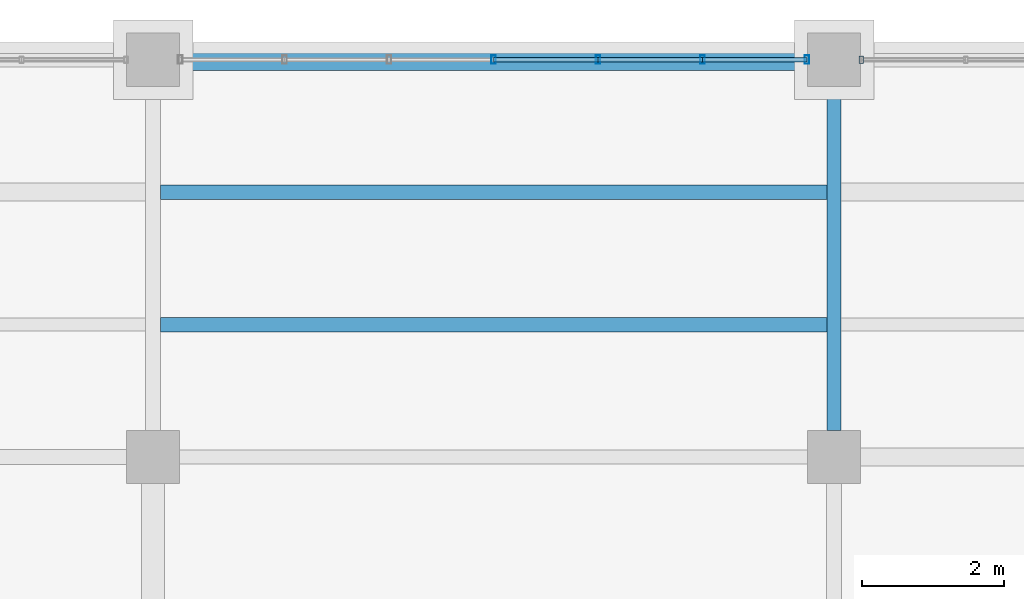
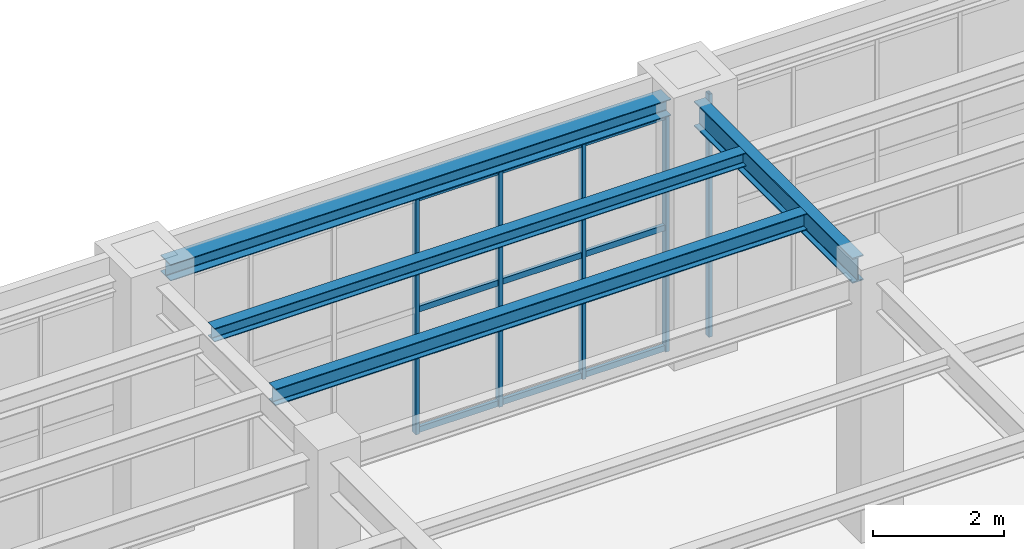
# One storey, part 77 of 174: 14 members, 4 beams, 2 elements without a shape of their own.
"""IFC4 building model written with IfcOpenShell, lengths in metres."""

from ifc_helpers import new_model, si_unit, direction, frame, origin, origin_2d, place, context, subcontext, project, spatial, hollow_rectangle, i_section, extrude, material, material_profile, profile_set, type_object, element, aggregate, save


model = new_model("IFC4")

# Units and contexts
model_context = context("Model", 3, precision=1e-05, world=origin(), true_north=direction((0.0, 1.0)))
body_context = subcontext(model_context, "Body", "Model", "MODEL_VIEW")
ifc_project = project(units=[si_unit("LENGTHUNIT", "METRE"), si_unit("AREAUNIT", "SQUARE_METRE"), si_unit("VOLUMEUNIT", "CUBIC_METRE"), si_unit("PLANEANGLEUNIT", "RADIAN"), si_unit("MASSUNIT", "GRAM", prefix="KILO")], contexts=[model_context])

# Site, building, storey
site_placement = place(None, origin())
site = spatial("IfcSite", under=ifc_project, at=site_placement, CompositionType="ELEMENT")
building_placement = place(site_placement, origin())
building = spatial("IfcBuilding", under=site, at=building_placement, Name="Mavantir Sound Aquarium", CompositionType="ELEMENT")
storey_placement = place(building_placement, frame((0.0, 0.0, 5.39990234375)))
storey = spatial("IfcBuildingStorey", under=building, at=storey_placement, Name="L01", CompositionType="ELEMENT", Elevation=5.39990234375)

# Beams
ifc_material_1 = material(Name="Structural Steel ASTM A992 Gr50", Category="steel")
ifc_material_profile_1 = material_profile(ifc_material_1, i_section(OverallWidth=0.202880859375, OverallDepth=0.251953125, WebThickness=0.008056640625, FlangeThickness=0.013427734375, FilletRadius=0.011962890625, at=origin_2d()), Name="W250X58")
ifc_profile_set_1 = profile_set([ifc_material_profile_1], Name="Structural Steel ASTM A992 Gr50")
beam_type_1 = type_object("IfcBeamType", Name="BM-W250X58-I", PredefinedType="JOIST", material=ifc_profile_set_1)
beam_1_placement = place(storey_placement, frame((19.305908203125, 114.13330078125, 4.650146484375), z_axis=(1.0, 0.0, 0.0), x_axis=(0.0, 1.0, 0.0)))
element("IfcBeam", 1, at=beam_1_placement, inside=storey, type_object=beam_type_1, Name="L01 secondary floor joist SJ-25 828", PredefinedType="JOIST", context=body_context, shape_type="SweptSolid", body=[
    extrude(i_section(OverallWidth=0.202880859375, OverallDepth=0.251953125, WebThickness=0.008056640625, FlangeThickness=0.013427734375, FilletRadius=0.011962890625, at=origin_2d()), origin(), (0.0, 0.0, 1.0), 9.39697265625),
])
ifc_material_profile_2 = material_profile(ifc_material_1, i_section(OverallWidth=0.205078125, OverallDepth=0.31005859375, WebThickness=0.009521484375, FlangeThickness=0.016357421875, FilletRadius=0.012939453125, at=origin_2d()), Name="W310X74")
ifc_profile_set_2 = profile_set([ifc_material_profile_2], Name="Structural Steel ASTM A992 Gr50")
beam_type_2 = type_object("IfcBeamType", Name="BM-W310X74-I", PredefinedType="JOIST", material=ifc_profile_set_2)
beam_2_placement = place(storey_placement, frame((19.305908203125, 112.2666015625, 4.62109375), z_axis=(1.0, 0.0, 0.0), x_axis=(0.0, 1.0, 0.0)))
element("IfcBeam", 2, at=beam_2_placement, inside=storey, type_object=beam_type_2, Name="L01 secondary floor joist SJ-31 827", PredefinedType="JOIST", context=body_context, shape_type="SweptSolid", body=[
    extrude(i_section(OverallWidth=0.205078125, OverallDepth=0.31005859375, WebThickness=0.009521484375, FlangeThickness=0.016357421875, FilletRadius=0.012939453125, at=origin_2d()), origin(), (0.0, 0.0, 1.0), 9.39697265625),
])
ifc_material_profile_3 = material_profile(ifc_material_1, i_section(OverallWidth=0.304931640625, OverallDepth=0.30810546875, WebThickness=0.010009765625, FlangeThickness=0.015380859375, FilletRadius=0.014892578125, at=origin_2d()), Name="W310X97")
ifc_profile_set_3 = profile_set([ifc_material_profile_3], Name="Structural Steel ASTM A992 Gr50")
beam_type_3 = type_object("IfcBeamType", Name="BM-W310X97-E", PredefinedType="SPANDREL", material=ifc_profile_set_3)
beam_3_placement = place(storey_placement, frame((19.574951171875, 116.0, 4.6220703125), z_axis=(1.0, 0.0, 0.0), x_axis=(0.0, 1.0, 0.0)))
element("IfcBeam", 3, at=beam_3_placement, inside=storey, type_object=beam_type_3, Name="L01 primary beam SS-31A 1375", PredefinedType="SPANDREL", context=body_context, shape_type="SweptSolid", body=[
    extrude(i_section(OverallWidth=0.304931640625, OverallDepth=0.30810546875, WebThickness=0.010009765625, FlangeThickness=0.015380859375, FilletRadius=0.014892578125, at=origin_2d()), origin(), (0.0, 0.0, 1.0), 8.85009765625),
])
ifc_material_profile_4 = material_profile(ifc_material_1, i_section(OverallWidth=0.194091796875, OverallDepth=0.468994140625, WebThickness=0.0126953125, FlangeThickness=0.0205078125, FilletRadius=0.01611328125, at=origin_2d()), Name="W460X106")
ifc_profile_set_4 = profile_set([ifc_material_profile_4], Name="Structural Steel ASTM A992 Gr50")
beam_type_4 = type_object("IfcBeamType", Name="BM-W460X106-I", PredefinedType="BEAM", material=ifc_profile_set_4)
beam_4_placement = place(storey_placement, frame((28.800048828125, 110.77490234375, 4.54150390625), z_axis=(0.0, 1.0, 0.0), x_axis=(-1.0, 0.0, 0.0)))
element("IfcBeam", 4, at=beam_4_placement, inside=storey, type_object=beam_type_4, Name="L01 primary girder SB-46 1392", PredefinedType="BEAM", context=body_context, shape_type="SweptSolid", body=[
    extrude(i_section(OverallWidth=0.194091796875, OverallDepth=0.468994140625, WebThickness=0.0126953125, FlangeThickness=0.0205078125, FilletRadius=0.01611328125, at=origin_2d()), origin(), (0.0, 0.0, 1.0), 4.85009765625),
])

# Curtain wall, member
ifc_material_2 = material(Name="Anodised Marine Aluminium and Low-E Glass", Category="aluminium")
curtain_wall_type_1 = type_object("IfcCurtainWallType", Name="CW-T21", PredefinedType="USERDEFINED", material=ifc_material_2)
curtain_wall_1_placement = place(storey_placement, origin())
curtain_wall_1 = element("IfcCurtainWall", 5, at=curtain_wall_1_placement, inside=storey, type_object=curtain_wall_type_1, Name="L01 unitised curtain wall CW-21 117", ObjectType="UNITISED GLAZING", PredefinedType="USERDEFINED")
ifc_material_3 = material(Name="Anodised Marine Aluminium 6063-T6", Category="aluminium")
ifc_material_profile_5 = material_profile(ifc_material_3, hollow_rectangle(XDim=0.06005859375, YDim=0.10009765625, WallThickness=0.00390625, at=origin_2d()), Name="ALU-MULLION-100X60")
ifc_profile_set_5 = profile_set([ifc_material_profile_5], Name="Anodised Marine Aluminium 6063-T6")
member_type_1 = type_object("IfcMemberType", Name="CW-MUL-100", PredefinedType="MULLION", material=ifc_profile_set_5)
member_1_placement = place(storey_placement, frame((29.18310546875, 116.0, 0.0), z_axis=(0.0, 0.0, 1.0), x_axis=(1.0, 0.0, 0.0)))
member_1 = element("IfcMember", 6, at=member_1_placement, type_object=member_type_1, Name="CW-L01-117 vertical mullion 7", PredefinedType="MULLION", context=body_context, shape_type="SweptSolid", body=[
    extrude(hollow_rectangle(XDim=0.06005859375, YDim=0.10009765625, WallThickness=0.00390625, at=origin_2d()), origin(), (0.0, 0.0, 1.0), 4.543212890625),
])
aggregate(curtain_wall_1, [member_1])

# Curtain wall, members
curtain_wall_type_2 = type_object("IfcCurtainWallType", Name="CW-T22", PredefinedType="USERDEFINED", material=ifc_material_2)
curtain_wall_2_placement = place(storey_placement, origin())
curtain_wall_2 = element("IfcCurtainWall", 7, at=curtain_wall_2_placement, inside=storey, type_object=curtain_wall_type_2, Name="L01 unitised curtain wall CW-22 118", ObjectType="UNITISED GLAZING", PredefinedType="USERDEFINED")
ifc_material_profile_6 = material_profile(ifc_material_3, hollow_rectangle(XDim=0.06494140625, YDim=0.1201171875, WallThickness=0.00390625, at=origin_2d()), Name="ALU-MULLION-120X65")
ifc_profile_set_6 = profile_set([ifc_material_profile_6], Name="Anodised Marine Aluminium 6063-T6")
member_type_2 = type_object("IfcMemberType", Name="CW-MUL-120", PredefinedType="MULLION", material=ifc_profile_set_6)
member_2_placement = place(storey_placement, frame((28.4169921875, 116.0, 0.0), z_axis=(0.0, 0.0, 1.0), x_axis=(1.0, 0.0, 0.0)))
member_2 = element("IfcMember", 8, at=member_2_placement, type_object=member_type_2, Name="CW-L01-118 vertical mullion 1", PredefinedType="MULLION", context=body_context, shape_type="SweptSolid", body=[
    extrude(hollow_rectangle(XDim=0.06494140625, YDim=0.1201171875, WallThickness=0.00390625, at=origin_2d()), origin(), (0.0, 0.0, 1.0), 4.43798828125),
])
member_3_placement = place(storey_placement, frame((26.944580078125, 116.0, 0.0), z_axis=(0.0, 0.0, 1.0), x_axis=(1.0, 0.0, 0.0)))
member_3 = element("IfcMember", 9, at=member_3_placement, type_object=member_type_2, Name="CW-L01-118 vertical mullion 2", PredefinedType="MULLION", context=body_context, shape_type="SweptSolid", body=[
    extrude(hollow_rectangle(XDim=0.06494140625, YDim=0.1201171875, WallThickness=0.00390625, at=origin_2d()), origin(), (0.0, 0.0, 1.0), 4.43798828125),
])
member_4_placement = place(storey_placement, frame((25.472412109375, 116.0, 0.0), z_axis=(0.0, 0.0, 1.0), x_axis=(1.0, 0.0, 0.0)))
member_4 = element("IfcMember", 10, at=member_4_placement, type_object=member_type_2, Name="CW-L01-118 vertical mullion 3", PredefinedType="MULLION", context=body_context, shape_type="SweptSolid", body=[
    extrude(hollow_rectangle(XDim=0.06494140625, YDim=0.1201171875, WallThickness=0.00390625, at=origin_2d()), origin(), (0.0, 0.0, 1.0), 4.43798828125),
])
member_5_placement = place(storey_placement, frame((24.0, 116.0, 0.0), z_axis=(0.0, 0.0, 1.0), x_axis=(1.0, 0.0, 0.0)))
member_5 = element("IfcMember", 11, at=member_5_placement, type_object=member_type_2, Name="CW-L01-118 vertical mullion 4", PredefinedType="MULLION", context=body_context, shape_type="SweptSolid", body=[
    extrude(hollow_rectangle(XDim=0.06494140625, YDim=0.1201171875, WallThickness=0.00390625, at=origin_2d()), origin(), (0.0, 0.0, 1.0), 4.43798828125),
])
ifc_material_profile_7 = material_profile(ifc_material_3, hollow_rectangle(XDim=0.06005859375, YDim=0.110107421875, WallThickness=0.00390625, at=origin_2d()), Name="ALU-TRANSOM-110X60")
ifc_profile_set_7 = profile_set([ifc_material_profile_7], Name="Anodised Marine Aluminium 6063-T6")
member_type_3 = type_object("IfcMemberType", Name="CW-TRN-110", PredefinedType="USERDEFINED", material=ifc_profile_set_7)
member_6_placement = place(storey_placement, frame((28.4169921875, 116.0, 0.05517578125), z_axis=(-1.0, 0.0, 0.0), x_axis=(0.0, -1.0, 0.0)))
member_6 = element("IfcMember", 12, at=member_6_placement, type_object=member_type_3, Name="CW-L01-118 transom 1.1", ObjectType="TRANSOM", PredefinedType="USERDEFINED", context=body_context, shape_type="SweptSolid", body=[
    extrude(hollow_rectangle(XDim=0.06005859375, YDim=0.110107421875, WallThickness=0.00390625, at=origin_2d()), origin(), (0.0, 0.0, 1.0), 1.472412109375),
])
member_7_placement = place(storey_placement, frame((28.4169921875, 116.0, 2.307861328125), z_axis=(-1.0, 0.0, 0.0), x_axis=(0.0, -1.0, 0.0)))
member_7 = element("IfcMember", 13, at=member_7_placement, type_object=member_type_3, Name="CW-L01-118 transom 1.2", ObjectType="TRANSOM", PredefinedType="USERDEFINED", context=body_context, shape_type="SweptSolid", body=[
    extrude(hollow_rectangle(XDim=0.06005859375, YDim=0.110107421875, WallThickness=0.00390625, at=origin_2d()), origin(), (0.0, 0.0, 1.0), 1.472412109375),
])
member_8_placement = place(storey_placement, frame((28.4169921875, 116.0, 4.383056640625), z_axis=(-1.0, 0.0, 0.0), x_axis=(0.0, -1.0, 0.0)))
member_8 = element("IfcMember", 14, at=member_8_placement, type_object=member_type_3, Name="CW-L01-118 transom 1.3", ObjectType="TRANSOM", PredefinedType="USERDEFINED", context=body_context, shape_type="SweptSolid", body=[
    extrude(hollow_rectangle(XDim=0.06005859375, YDim=0.110107421875, WallThickness=0.00390625, at=origin_2d()), origin(), (0.0, 0.0, 1.0), 1.472412109375),
])
member_9_placement = place(storey_placement, frame((26.944580078125, 116.0, 0.05517578125), z_axis=(-1.0, 0.0, 0.0), x_axis=(0.0, -1.0, 0.0)))
member_9 = element("IfcMember", 15, at=member_9_placement, type_object=member_type_3, Name="CW-L01-118 transom 2.1", ObjectType="TRANSOM", PredefinedType="USERDEFINED", context=body_context, shape_type="SweptSolid", body=[
    extrude(hollow_rectangle(XDim=0.06005859375, YDim=0.110107421875, WallThickness=0.00390625, at=origin_2d()), origin(), (0.0, 0.0, 1.0), 1.47216796875),
])
member_10_placement = place(storey_placement, frame((26.944580078125, 116.0, 2.307861328125), z_axis=(-1.0, 0.0, 0.0), x_axis=(0.0, -1.0, 0.0)))
member_10 = element("IfcMember", 16, at=member_10_placement, type_object=member_type_3, Name="CW-L01-118 transom 2.2", ObjectType="TRANSOM", PredefinedType="USERDEFINED", context=body_context, shape_type="SweptSolid", body=[
    extrude(hollow_rectangle(XDim=0.06005859375, YDim=0.110107421875, WallThickness=0.00390625, at=origin_2d()), origin(), (0.0, 0.0, 1.0), 1.47216796875),
])
member_11_placement = place(storey_placement, frame((26.944580078125, 116.0, 4.383056640625), z_axis=(-1.0, 0.0, 0.0), x_axis=(0.0, -1.0, 0.0)))
member_11 = element("IfcMember", 17, at=member_11_placement, type_object=member_type_3, Name="CW-L01-118 transom 2.3", ObjectType="TRANSOM", PredefinedType="USERDEFINED", context=body_context, shape_type="SweptSolid", body=[
    extrude(hollow_rectangle(XDim=0.06005859375, YDim=0.110107421875, WallThickness=0.00390625, at=origin_2d()), origin(), (0.0, 0.0, 1.0), 1.47216796875),
])
member_12_placement = place(storey_placement, frame((25.472412109375, 116.0, 0.05517578125), z_axis=(-1.0, 0.0, 0.0), x_axis=(0.0, -1.0, 0.0)))
member_12 = element("IfcMember", 18, at=member_12_placement, type_object=member_type_3, Name="CW-L01-118 transom 3.1", ObjectType="TRANSOM", PredefinedType="USERDEFINED", context=body_context, shape_type="SweptSolid", body=[
    extrude(hollow_rectangle(XDim=0.06005859375, YDim=0.110107421875, WallThickness=0.00390625, at=origin_2d()), origin(), (0.0, 0.0, 1.0), 1.472412109375),
])
member_13_placement = place(storey_placement, frame((25.472412109375, 116.0, 2.307861328125), z_axis=(-1.0, 0.0, 0.0), x_axis=(0.0, -1.0, 0.0)))
member_13 = element("IfcMember", 19, at=member_13_placement, type_object=member_type_3, Name="CW-L01-118 transom 3.2", ObjectType="TRANSOM", PredefinedType="USERDEFINED", context=body_context, shape_type="SweptSolid", body=[
    extrude(hollow_rectangle(XDim=0.06005859375, YDim=0.110107421875, WallThickness=0.00390625, at=origin_2d()), origin(), (0.0, 0.0, 1.0), 1.472412109375),
])
member_14_placement = place(storey_placement, frame((25.472412109375, 116.0, 4.383056640625), z_axis=(-1.0, 0.0, 0.0), x_axis=(0.0, -1.0, 0.0)))
member_14 = element("IfcMember", 20, at=member_14_placement, type_object=member_type_3, Name="CW-L01-118 transom 3.3", ObjectType="TRANSOM", PredefinedType="USERDEFINED", context=body_context, shape_type="SweptSolid", body=[
    extrude(hollow_rectangle(XDim=0.06005859375, YDim=0.110107421875, WallThickness=0.00390625, at=origin_2d()), origin(), (0.0, 0.0, 1.0), 1.472412109375),
])
aggregate(curtain_wall_2, [member_2, member_3, member_4, member_5, member_6, member_7, member_8, member_9, member_10, member_11, member_12, member_13, member_14])

save(model, "model.ifc")
